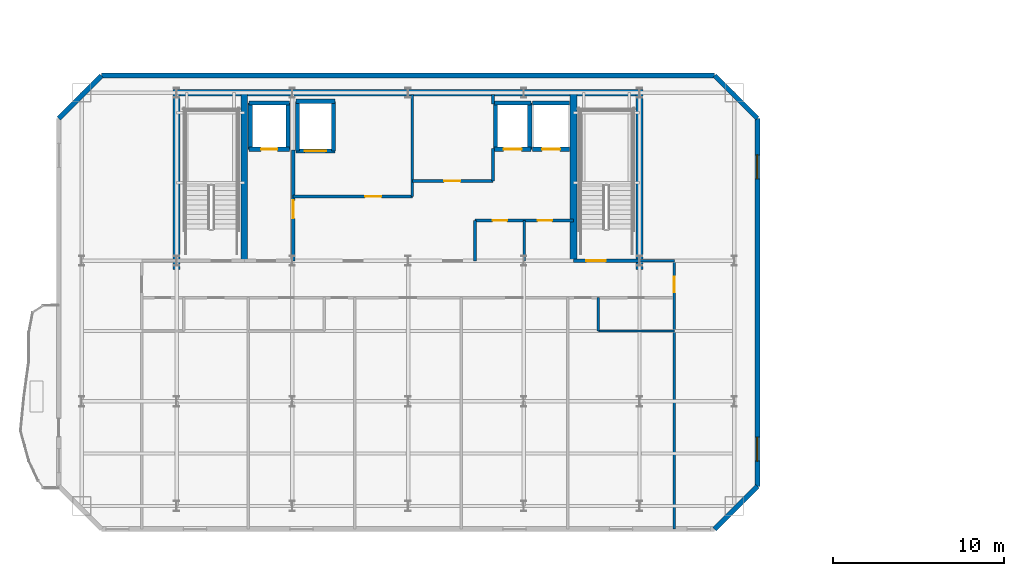
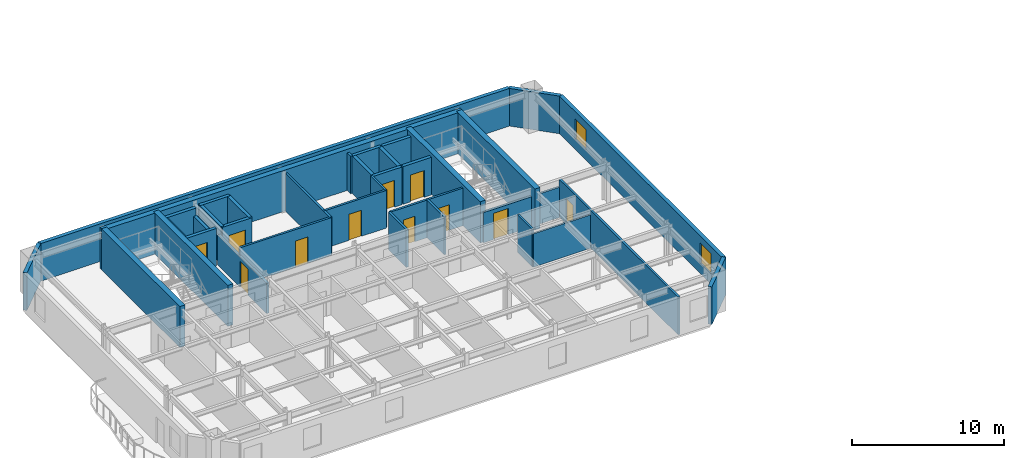
# One storey, part 6 of 14: 38 walls, 11 doors, 2 windows, 13 openings.
"""IFC4 building model written with IfcOpenShell, lengths in metres."""

from ifc_helpers import new_model, si_unit, direction, frame, frame_2d, origin, place, context, subcontext, project, spatial, rectangle, extrude, material, layer, layer_set, type_object, element, fill, save


model = new_model("IFC4")

# Units and contexts
model_context = context("Model", 3, precision=1e-05, world=origin(), true_north=direction((0.0, 1.0)))
body_context = subcontext(model_context, "Body", "Model", "MODEL_VIEW")
ifc_project = project(units=[si_unit("LENGTHUNIT", "METRE"), si_unit("AREAUNIT", "SQUARE_METRE"), si_unit("VOLUMEUNIT", "CUBIC_METRE"), si_unit("PLANEANGLEUNIT", "RADIAN"), si_unit("MASSUNIT", "GRAM", prefix="KILO")], contexts=[model_context])

# Site, building, storey
site_placement = place(None, origin())
site = spatial("IfcSite", under=ifc_project, at=site_placement, CompositionType="ELEMENT")
building_placement = place(site_placement, origin())
building = spatial("IfcBuilding", under=site, at=building_placement, Name="Haevon Station Towers", CompositionType="ELEMENT")
storey_placement = place(building_placement, frame((0.0, 0.0, 205.5)))
storey = spatial("IfcBuildingStorey", under=building, at=storey_placement, Name="L56", CompositionType="ELEMENT", Elevation=205.5)

# Wall, opening, door
ifc_material_1 = material(Name="Gypsum board on steel stud", Category="steel")
ifc_layer_1 = layer(ifc_material_1, 0.199951171875)
ifc_layer_set_1 = layer_set([ifc_layer_1], Name="Gypsum board on steel stud")
wall_type_1 = type_object("IfcWallType", Name="WL-COR200", PredefinedType="PARTITIONING", material=ifc_layer_set_1)
wall_1_placement = place(storey_placement, frame((47.14990234375, 38.199951171875, 0.0), z_axis=(0.0, 0.0, 1.0), x_axis=(1.0, 0.0, 0.0)))
wall_1 = element("IfcWall", 1, at=wall_1_placement, inside=storey, type_object=wall_type_1, Name="WL-ST-ST2-L56", PredefinedType="PARTITIONING", context=body_context, shape_type="SweptSolid", body=[
    extrude(rectangle(XDim=3.85009765625, YDim=0.199951171875, at=frame_2d((1.925048828125, 0.0))), origin(), (0.0, 0.0, 1.0), 2.429931640625),
])
opening_1_placement = place(wall_1_placement, frame((0.75, 0.0, 0.0)))
opening_1 = element("IfcOpeningElement", 2, at=opening_1_placement, cuts=wall_1, Name="Opening DR-ST-ST2-L56", PredefinedType="OPENING", context=body_context, shape_type="SweptSolid", body=[
    extrude(rectangle(XDim=1.1201171875, YDim=2.10009765625, at=frame_2d((0.56005859375, 1.050048828125))), frame((0.0, 0.10986328125, 0.0), z_axis=(0.0, -1.0, 0.0), x_axis=(1.0, 0.0, 0.0)), (0.0, 0.0, 1.0), 0.219970703125),
])
ifc_material_2 = material(Name="Engineered oak timber", Category="wood")
door_type_1 = type_object("IfcDoorType", Name="DR-ST-1120", OperationType="NOTDEFINED", PredefinedType="DOOR", material=ifc_material_2)
door_1_placement = place(opening_1_placement, origin())
door_1 = element("IfcDoor", 3, at=door_1_placement, inside=storey, type_object=door_type_1, Name="L56 Escape Stair ST2 Fire Door", OperationType="SINGLE_SWING_LEFT", OverallHeight=2.10009765625, OverallWidth=1.1201171875, PredefinedType="DOOR", context=body_context, shape_type="SweptSolid", body=[
    extrude(rectangle(XDim=1.1201171875, YDim=2.10009765625, at=frame_2d((0.56005859375, 1.050048828125))), frame((0.0, 0.02490234375, 0.0), z_axis=(0.0, -1.0, 0.0), x_axis=(1.0, 0.0, 0.0)), (0.0, 0.0, 1.0), 0.050048828125),
])
fill(opening_1, door_1)

wall_2_placement = place(storey_placement, frame((30.800048828125, 38.199951171875, 0.0), z_axis=(0.0, 0.0, 1.0), x_axis=(0.0, 1.0, 0.0)))
wall_2 = element("IfcWall", 4, at=wall_2_placement, inside=storey, type_object=wall_type_1, Name="WL-T1FFL-L56-E", PredefinedType="PARTITIONING", context=body_context, shape_type="SweptSolid", body=[
    extrude(rectangle(XDim=6.449951171875, YDim=0.199951171875, at=frame_2d((3.22509765625, 0.0))), origin(), (0.0, 0.0, 1.0), 2.429931640625),
])
opening_2_placement = place(wall_2_placement, frame((2.469970703125, 0.0, 0.0)))
opening_2 = element("IfcOpeningElement", 5, at=opening_2_placement, cuts=wall_2, Name="Opening DR-T1FFL-L56-E", PredefinedType="OPENING", context=body_context, shape_type="SweptSolid", body=[
    extrude(rectangle(XDim=1.050048828125, YDim=2.10009765625, at=frame_2d((0.52490234375, 1.050048828125))), frame((0.0, 0.10986328125, 0.0), z_axis=(0.0, -1.0, 0.0), x_axis=(1.0, 0.0, 0.0)), (0.0, 0.0, 1.0), 0.219970703125),
])
door_type_2 = type_object("IfcDoorType", Name="DR-FD60-1050", OperationType="NOTDEFINED", PredefinedType="DOOR", material=ifc_material_2)
door_2_placement = place(opening_2_placement, origin())
door_2 = element("IfcDoor", 6, at=door_2_placement, inside=storey, type_object=door_type_2, Name="L56 Tower 1 Firefighting Lift Lobby Door E", OperationType="SINGLE_SWING_RIGHT", OverallHeight=2.10009765625, OverallWidth=1.050048828125, PredefinedType="DOOR", context=body_context, shape_type="SweptSolid", body=[
    extrude(rectangle(XDim=1.050048828125, YDim=2.10009765625, at=frame_2d((0.52490234375, 1.050048828125))), frame((0.0, 0.02490234375, 0.0), z_axis=(0.0, -1.0, 0.0), x_axis=(1.0, 0.0, 0.0)), (0.0, 0.0, 1.0), 0.050048828125),
])
fill(opening_2, door_2)

# Walls
ifc_material_3 = material(Name="Concrete C60/75", Category="concrete")
ifc_layer_2 = layer(ifc_material_3, 0.39990234375)
ifc_layer_set_2 = layer_set([ifc_layer_2], Name="Concrete C60/75")
wall_type_2 = type_object("IfcWallType", Name="WL-CR400", PredefinedType="SHEAR", material=ifc_layer_set_2)
wall_3_placement = place(storey_placement, frame((23.800048828125, 48.0, 0.0), z_axis=(0.0, 0.0, 1.0), x_axis=(1.0, 0.0, 0.0)))
element("IfcWall", 7, at=wall_3_placement, inside=storey, type_object=wall_type_2, Name="WL-T1CR-L56-N", PredefinedType="SHEAR", context=body_context, shape_type="SweptSolid", body=[
    extrude(rectangle(XDim=27.39990234375, YDim=0.39990234375, at=frame_2d((13.699951171875, 0.0))), origin(), (0.0, 0.0, 1.0), 3.300048828125),
])
for number, where, z_axis, x_axis, name in (
    (8, (24.0, 37.679931640625, 0.0), (0.0, 0.0, 1.0), (0.0, 1.0, 0.0), "WL-T1CR-L56-W"),
    (9, (51.0, 37.679931640625, 0.0), (0.0, 0.0, 1.0), (0.0, 1.0, 0.0), "WL-T1CR-L56-E"),
):
    element("IfcWall", number, at=place(storey_placement, frame(where, z_axis=z_axis, x_axis=x_axis)), inside=storey, type_object=wall_type_2, Name=name, PredefinedType="SHEAR", context=body_context, shape_type="SweptSolid", body=[
        extrude(rectangle(XDim=10.320068359375, YDim=0.39990234375, at=frame_2d((5.16015625, 0.0))), origin(), (0.0, 0.0, 1.0), 3.300048828125),
    ])
for number, where, z_axis, x_axis, name in (
    (10, (27.949951171875, 38.199951171875, 0.0), (0.0, 0.0, 1.0), (0.0, 1.0, 0.0), "WL-T1CR-L56-M1"),
    (11, (47.14990234375, 38.199951171875, 0.0), (0.0, 0.0, 1.0), (0.0, 1.0, 0.0), "WL-T1CR-L56-M2"),
):
    element("IfcWall", number, at=place(storey_placement, frame(where, z_axis=z_axis, x_axis=x_axis)), inside=storey, type_object=wall_type_2, Name=name, PredefinedType="SHEAR", context=body_context, shape_type="SweptSolid", body=[
        extrude(rectangle(XDim=9.800048828125, YDim=0.39990234375, at=frame_2d((4.89990234375, 0.0))), origin(), (0.0, 0.0, 1.0), 3.300048828125),
    ])
ifc_material_4 = material(Name="Precast concrete C45/55", Category="concrete")
ifc_layer_3 = layer(ifc_material_4, 0.280029296875)
ifc_layer_set_3 = layer_set([ifc_layer_3], Name="Precast concrete C45/55")
wall_type_3 = type_object("IfcWallType", Name="WL-EXT-PIER280", PredefinedType="SOLIDWALL", material=ifc_layer_set_3)
wall_4_placement = place(storey_placement, frame((17.125, 46.5, 0.0), z_axis=(0.0, 0.0, 1.0), x_axis=(0.707106781187, 0.707106781187, 0.0)))
element("IfcWall", 12, at=wall_4_placement, inside=storey, type_object=wall_type_3, Name="WL-T1-L56-NWC", PredefinedType="SOLIDWALL", context=body_context, shape_type="SweptSolid", body=[
    extrude(rectangle(XDim=3.53564453125, YDim=0.280029296875, at=frame_2d((1.767822265625, 0.0))), origin(), (0.0, 0.0, 1.0), 3.030029296875),
])
wall_5_placement = place(storey_placement, frame((19.625, 49.0, 0.0), z_axis=(0.0, 0.0, 1.0), x_axis=(1.0, 0.0, 0.0)))
element("IfcWall", 13, at=wall_5_placement, inside=storey, type_object=wall_type_3, Name="WL-T1-L56-N", PredefinedType="SOLIDWALL", context=body_context, shape_type="SweptSolid", body=[
    extrude(rectangle(XDim=35.75, YDim=0.280029296875, at=frame_2d((17.875, 0.0))), origin(), (0.0, 0.0, 1.0), 3.030029296875),
])
wall_6_placement = place(storey_placement, frame((55.375, 49.0, 0.0), z_axis=(0.0, 0.0, 1.0), x_axis=(0.707106781187, -0.707106781187, 0.0)))
element("IfcWall", 14, at=wall_6_placement, inside=storey, type_object=wall_type_3, Name="WL-T1-L56-NEC", PredefinedType="SOLIDWALL", context=body_context, shape_type="SweptSolid", body=[
    extrude(rectangle(XDim=3.53564453125, YDim=0.280029296875, at=frame_2d((1.767822265625, 0.0))), origin(), (0.0, 0.0, 1.0), 3.030029296875),
])

# Wall, openings, windows
wall_7_placement = place(storey_placement, frame((57.875, 46.5, 0.0), z_axis=(0.0, 0.0, 1.0), x_axis=(0.0, -1.0, 0.0)))
wall_7 = element("IfcWall", 15, at=wall_7_placement, inside=storey, type_object=wall_type_3, Name="WL-T1-L56-E", PredefinedType="SOLIDWALL", context=body_context, shape_type="SweptSolid", body=[
    extrude(rectangle(XDim=21.449951171875, YDim=0.280029296875, at=frame_2d((10.72509765625, 0.0))), origin(), (0.0, 0.0, 1.0), 3.030029296875),
])
opening_3_placement = place(wall_7_placement, frame((2.117919921875, 0.0, 0.800048828125)))
opening_3 = element("IfcOpeningElement", 16, at=opening_3_placement, cuts=wall_7, Name="Opening WN-END140", PredefinedType="OPENING", context=body_context, shape_type="SweptSolid", body=[
    extrude(rectangle(XDim=1.39990234375, YDim=1.64990234375, at=frame_2d((0.699951171875, 0.824951171875))), frame((0.0, 0.14990234375, 0.0), z_axis=(0.0, -1.0, 0.0), x_axis=(1.0, 0.0, 0.0)), (0.0, 0.0, 1.0), 0.300048828125),
])
opening_4_placement = place(wall_7_placement, frame((18.591064453125, 0.0, 0.800048828125)))
opening_4 = element("IfcOpeningElement", 17, at=opening_4_placement, cuts=wall_7, Name="Opening WN-END140", PredefinedType="OPENING", context=body_context, shape_type="SweptSolid", body=[
    extrude(rectangle(XDim=1.39990234375, YDim=1.64990234375, at=frame_2d((0.699951171875, 0.824951171875))), frame((0.0, 0.14990234375, 0.0), z_axis=(0.0, -1.0, 0.0), x_axis=(1.0, 0.0, 0.0)), (0.0, 0.0, 1.0), 0.300048828125),
])
ifc_material_5 = material(Name="Low-E triple glazing in thermally broken aluminium", Category="aluminium")
window_type = type_object("IfcWindowType", Name="WN-END140", PartitioningType="SINGLE_PANEL", PredefinedType="WINDOW", material=ifc_material_5)
window_1_placement = place(opening_3_placement, origin())
window_1 = element("IfcWindow", 18, at=window_1_placement, inside=storey, type_object=window_type, Name="WN-T1-L56-E01", OverallHeight=1.64990234375, OverallWidth=1.39990234375, PartitioningType="SINGLE_PANEL", PredefinedType="WINDOW", context=body_context, shape_type="SweptSolid", body=[
    extrude(rectangle(XDim=1.39990234375, YDim=1.64990234375, at=frame_2d((0.699951171875, 0.824951171875))), frame((0.0, 0.030029296875, 0.0), z_axis=(0.0, -1.0, 0.0), x_axis=(1.0, 0.0, 0.0)), (0.0, 0.0, 1.0), 0.06005859375),
])
fill(opening_3, window_1)
window_2_placement = place(opening_4_placement, origin())
window_2 = element("IfcWindow", 19, at=window_2_placement, inside=storey, type_object=window_type, Name="WN-T1-L56-E02", OverallHeight=1.64990234375, OverallWidth=1.39990234375, PartitioningType="SINGLE_PANEL", PredefinedType="WINDOW", context=body_context, shape_type="SweptSolid", body=[
    extrude(rectangle(XDim=1.39990234375, YDim=1.64990234375, at=frame_2d((0.699951171875, 0.824951171875))), frame((0.0, 0.030029296875, 0.0), z_axis=(0.0, -1.0, 0.0), x_axis=(1.0, 0.0, 0.0)), (0.0, 0.0, 1.0), 0.06005859375),
])
fill(opening_4, window_2)

# Walls
wall_8_placement = place(storey_placement, frame((57.875, 25.050048828125, 0.0), z_axis=(0.0, 0.0, 1.0), x_axis=(-0.707106781187, -0.707106781187, 0.0)))
element("IfcWall", 20, at=wall_8_placement, inside=storey, type_object=wall_type_3, Name="WL-T1-L56-SEC", PredefinedType="SOLIDWALL", context=body_context, shape_type="SweptSolid", body=[
    extrude(rectangle(XDim=3.53564453125, YDim=0.280029296875, at=frame_2d((1.767822265625, 0.0))), origin(), (0.0, 0.0, 1.0), 3.030029296875),
])
ifc_layer_4 = layer(ifc_material_1, 0.125)
ifc_layer_set_4 = layer_set([ifc_layer_4], Name="Gypsum board on steel stud")
wall_type_4 = type_object("IfcWallType", Name="WL-PRT125", PredefinedType="PARTITIONING", material=ifc_layer_set_4)
wall_9_placement = place(storey_placement, frame((48.594970703125, 34.10009765625, 0.0), z_axis=(0.0, 0.0, 1.0), x_axis=(1.0, 0.0, 0.0)))
element("IfcWall", 21, at=wall_9_placement, inside=storey, type_object=wall_type_4, Name="WL-T1PT-L56-13", PredefinedType="PARTITIONING", context=body_context, shape_type="SweptSolid", body=[
    extrude(rectangle(XDim=4.429931640625, YDim=0.125, at=frame_2d((2.21484375, 0.0))), origin(), (0.0, 0.0, 1.0), 2.679931640625),
])
ifc_layer_5 = layer(ifc_material_1, 0.139892578125)
ifc_layer_set_5 = layer_set([ifc_layer_5], Name="Gypsum board on steel stud")
wall_type_5 = type_object("IfcWallType", Name="WL-PRT140", PredefinedType="PARTITIONING", material=ifc_layer_set_5)
wall_10_placement = place(storey_placement, frame((48.594970703125, 34.10009765625, 0.0), z_axis=(0.0, 0.0, 1.0), x_axis=(0.0, 1.0, 0.0)))
element("IfcWall", 22, at=wall_10_placement, inside=storey, type_object=wall_type_5, Name="WL-T1PT-L56-14", PredefinedType="PARTITIONING", context=body_context, shape_type="SweptSolid", body=[
    extrude(rectangle(XDim=1.949951171875, YDim=0.139892578125, at=frame_2d((0.97509765625, 0.0))), origin(), (0.0, 0.0, 1.0), 3.030029296875),
])

# Wall, opening, door
ifc_layer_6 = layer(ifc_material_1, 0.159912109375)
ifc_layer_set_6 = layer_set([ifc_layer_6], Name="Gypsum board on steel stud")
wall_type_6 = type_object("IfcWallType", Name="WL-PRT160", PredefinedType="PARTITIONING", material=ifc_layer_set_6)
wall_11_placement = place(storey_placement, frame((30.800048828125, 41.949951171875, 0.0), z_axis=(0.0, 0.0, 1.0), x_axis=(1.0, 0.0, 0.0)))
wall_11 = element("IfcWall", 23, at=wall_11_placement, inside=storey, type_object=wall_type_6, Name="WL-T1CW-L56-01", PredefinedType="PARTITIONING", context=body_context, shape_type="SweptSolid", body=[
    extrude(rectangle(XDim=6.949951171875, YDim=0.159912109375, at=frame_2d((3.47509765625, 0.0))), origin(), (0.0, 0.0, 1.0), 3.030029296875),
])
opening_5_placement = place(wall_11_placement, frame((4.199951171875, 0.0, 0.0)))
opening_5 = element("IfcOpeningElement", 24, at=opening_5_placement, cuts=wall_11, Name="Opening DR-WL-T1CW-L56-01-1", PredefinedType="OPENING", context=body_context, shape_type="SweptSolid", body=[
    extrude(rectangle(XDim=0.949951171875, YDim=2.10009765625, at=frame_2d((0.47509765625, 1.050048828125))), frame((0.0, 0.08984375, 0.0), z_axis=(0.0, -1.0, 0.0), x_axis=(1.0, 0.0, 0.0)), (0.0, 0.0, 1.0), 0.179931640625),
])
door_type_3 = type_object("IfcDoorType", Name="DR-FD60-950", OperationType="NOTDEFINED", PredefinedType="DOOR", material=ifc_material_2)
door_3_placement = place(opening_5_placement, origin())
door_3 = element("IfcDoor", 25, at=door_3_placement, inside=storey, type_object=door_type_3, Name="L56 Tower 1 Core Room Door 1-1", OperationType="SINGLE_SWING_LEFT", OverallHeight=2.10009765625, OverallWidth=0.949951171875, PredefinedType="DOOR", context=body_context, shape_type="SweptSolid", body=[
    extrude(rectangle(XDim=0.949951171875, YDim=2.10009765625, at=frame_2d((0.47509765625, 1.050048828125))), frame((0.0, 0.02490234375, 0.0), z_axis=(0.0, -1.0, 0.0), x_axis=(1.0, 0.0, 0.0)), (0.0, 0.0, 1.0), 0.050048828125),
])
fill(opening_5, door_3)

# Wall
wall_12_placement = place(storey_placement, frame((37.75, 41.949951171875, 0.0), z_axis=(0.0, 0.0, 1.0), x_axis=(0.0, 1.0, 0.0)))
element("IfcWall", 26, at=wall_12_placement, inside=storey, type_object=wall_type_6, Name="WL-T1CW-L56-02", PredefinedType="PARTITIONING", context=body_context, shape_type="SweptSolid", body=[
    extrude(rectangle(XDim=5.949951171875, YDim=0.159912109375, at=frame_2d((2.97509765625, 0.0))), origin(), (0.0, 0.0, 1.0), 3.030029296875),
])

# Wall, opening, door
wall_13_placement = place(storey_placement, frame((37.75, 42.85009765625, 0.0), z_axis=(0.0, 0.0, 1.0), x_axis=(1.0, 0.0, 0.0)))
wall_13 = element("IfcWall", 27, at=wall_13_placement, inside=storey, type_object=wall_type_6, Name="WL-T1CW-L56-03", PredefinedType="PARTITIONING", context=body_context, shape_type="SweptSolid", body=[
    extrude(rectangle(XDim=4.699951171875, YDim=0.159912109375, at=frame_2d((2.35009765625, 0.0))), origin(), (0.0, 0.0, 1.0), 3.030029296875),
])
opening_6_placement = place(wall_13_placement, frame((1.85009765625, 0.0, 0.0)))
opening_6 = element("IfcOpeningElement", 28, at=opening_6_placement, cuts=wall_13, Name="Opening DR-WL-T1CW-L56-03-1", PredefinedType="OPENING", context=body_context, shape_type="SweptSolid", body=[
    extrude(rectangle(XDim=0.949951171875, YDim=2.10009765625, at=frame_2d((0.47509765625, 1.050048828125))), frame((0.0, 0.08984375, 0.0), z_axis=(0.0, -1.0, 0.0), x_axis=(1.0, 0.0, 0.0)), (0.0, 0.0, 1.0), 0.179931640625),
])
door_4_placement = place(opening_6_placement, origin())
door_4 = element("IfcDoor", 29, at=door_4_placement, inside=storey, type_object=door_type_3, Name="L56 Tower 1 Core Room Door 3-1", OperationType="SINGLE_SWING_RIGHT", OverallHeight=2.10009765625, OverallWidth=0.949951171875, PredefinedType="DOOR", context=body_context, shape_type="SweptSolid", body=[
    extrude(rectangle(XDim=0.949951171875, YDim=2.10009765625, at=frame_2d((0.47509765625, 1.050048828125))), frame((0.0, 0.02490234375, 0.0), z_axis=(0.0, -1.0, 0.0), x_axis=(1.0, 0.0, 0.0)), (0.0, 0.0, 1.0), 0.050048828125),
])
fill(opening_6, door_4)

# Walls
wall_14_placement = place(storey_placement, frame((42.449951171875, 42.85009765625, 0.0), z_axis=(0.0, 0.0, 1.0), x_axis=(0.0, 1.0, 0.0)))
element("IfcWall", 30, at=wall_14_placement, inside=storey, type_object=wall_type_6, Name="WL-T1CW-L56-04", PredefinedType="PARTITIONING", context=body_context, shape_type="SweptSolid", body=[
    extrude(rectangle(XDim=1.89990234375, YDim=0.159912109375, at=frame_2d((0.949951171875, 0.0))), origin(), (0.0, 0.0, 1.0), 3.030029296875),
])
wall_15_placement = place(storey_placement, frame((42.449951171875, 47.35009765625, 0.0), z_axis=(0.0, 0.0, 1.0), x_axis=(0.0, 1.0, 0.0)))
element("IfcWall", 31, at=wall_15_placement, inside=storey, type_object=wall_type_6, Name="WL-T1CW-L56-05", PredefinedType="PARTITIONING", context=body_context, shape_type="SweptSolid", body=[
    extrude(rectangle(XDim=0.5498046875, YDim=0.159912109375, at=frame_2d((0.27490234375, 0.0))), origin(), (0.0, 0.0, 1.0), 3.030029296875),
])
for number, where, z_axis, x_axis, name in (
    (32, (41.39990234375, 38.199951171875, 0.0), (0.0, 0.0, 1.0), (0.0, 1.0, 0.0), "WL-T1CW-L56-06"),
    (33, (44.280029296875, 38.199951171875, 0.0), (0.0, 0.0, 1.0), (0.0, 1.0, 0.0), "WL-T1CW-L56-07"),
):
    element("IfcWall", number, at=place(storey_placement, frame(where, z_axis=z_axis, x_axis=x_axis)), inside=storey, type_object=wall_type_6, Name=name, PredefinedType="PARTITIONING", context=body_context, shape_type="SweptSolid", body=[
        extrude(rectangle(XDim=2.35009765625, YDim=0.159912109375, at=frame_2d((1.175048828125, 0.0))), origin(), (0.0, 0.0, 1.0), 3.030029296875),
    ])

# Wall, openings, doors
wall_16_placement = place(storey_placement, frame((41.39990234375, 40.550048828125, 0.0), z_axis=(0.0, 0.0, 1.0), x_axis=(1.0, 0.0, 0.0)))
wall_16 = element("IfcWall", 34, at=wall_16_placement, inside=storey, type_object=wall_type_6, Name="WL-T1CW-L56-08", PredefinedType="PARTITIONING", context=body_context, shape_type="SweptSolid", body=[
    extrude(rectangle(XDim=5.75, YDim=0.159912109375, at=frame_2d((2.875, 0.0))), origin(), (0.0, 0.0, 1.0), 3.030029296875),
])
opening_7_placement = place(wall_16_placement, frame((1.034912109375, 0.0, 0.0)))
opening_7 = element("IfcOpeningElement", 35, at=opening_7_placement, cuts=wall_16, Name="Opening DR-WL-T1CW-L56-08-1", PredefinedType="OPENING", context=body_context, shape_type="SweptSolid", body=[
    extrude(rectangle(XDim=0.85009765625, YDim=2.050048828125, at=frame_2d((0.425048828125, 1.02490234375))), frame((0.0, 0.08984375, 0.0), z_axis=(0.0, -1.0, 0.0), x_axis=(1.0, 0.0, 0.0)), (0.0, 0.0, 1.0), 0.179931640625),
])
opening_8_placement = place(wall_16_placement, frame((3.655029296875, 0.0, 0.0)))
opening_8 = element("IfcOpeningElement", 36, at=opening_8_placement, cuts=wall_16, Name="Opening DR-WL-T1CW-L56-08-2", PredefinedType="OPENING", context=body_context, shape_type="SweptSolid", body=[
    extrude(rectangle(XDim=0.85009765625, YDim=2.050048828125, at=frame_2d((0.425048828125, 1.02490234375))), frame((0.0, 0.08984375, 0.0), z_axis=(0.0, -1.0, 0.0), x_axis=(1.0, 0.0, 0.0)), (0.0, 0.0, 1.0), 0.179931640625),
])
door_type_4 = type_object("IfcDoorType", Name="DR-FD30-850", OperationType="NOTDEFINED", PredefinedType="DOOR", material=ifc_material_2)
door_5_placement = place(opening_7_placement, origin())
door_5 = element("IfcDoor", 37, at=door_5_placement, inside=storey, type_object=door_type_4, Name="L56 Tower 1 Core Room Door 8-1", OperationType="SINGLE_SWING_LEFT", OverallHeight=2.050048828125, OverallWidth=0.85009765625, PredefinedType="DOOR", context=body_context, shape_type="SweptSolid", body=[
    extrude(rectangle(XDim=0.85009765625, YDim=2.050048828125, at=frame_2d((0.425048828125, 1.02490234375))), frame((0.0, 0.02490234375, 0.0), z_axis=(0.0, -1.0, 0.0), x_axis=(1.0, 0.0, 0.0)), (0.0, 0.0, 1.0), 0.050048828125),
])
fill(opening_7, door_5)
door_6_placement = place(opening_8_placement, origin())
door_6 = element("IfcDoor", 38, at=door_6_placement, inside=storey, type_object=door_type_4, Name="L56 Tower 1 Core Room Door 8-2", OperationType="SINGLE_SWING_RIGHT", OverallHeight=2.050048828125, OverallWidth=0.85009765625, PredefinedType="DOOR", context=body_context, shape_type="SweptSolid", body=[
    extrude(rectangle(XDim=0.85009765625, YDim=2.050048828125, at=frame_2d((0.425048828125, 1.02490234375))), frame((0.0, 0.02490234375, 0.0), z_axis=(0.0, -1.0, 0.0), x_axis=(1.0, 0.0, 0.0)), (0.0, 0.0, 1.0), 0.050048828125),
])
fill(opening_8, door_6)

# Wall
wall_17_placement = place(storey_placement, frame((51.0, 38.199951171875, 0.0), z_axis=(0.0, 0.0, 1.0), x_axis=(1.0, 0.0, 0.0)))
element("IfcWall", 39, at=wall_17_placement, inside=storey, type_object=wall_type_6, Name="WL-T1PT-L56-02", PredefinedType="PARTITIONING", context=body_context, shape_type="SweptSolid", body=[
    extrude(rectangle(XDim=2.02490234375, YDim=0.159912109375, at=frame_2d((1.012451171875, 0.0))), origin(), (0.0, 0.0, 1.0), 2.429931640625),
])

# Wall, opening, door
wall_18_placement = place(storey_placement, frame((53.02490234375, 22.550048828125, 0.0), z_axis=(0.0, 0.0, 1.0), x_axis=(0.0, 1.0, 0.0)))
wall_18 = element("IfcWall", 40, at=wall_18_placement, inside=storey, type_object=wall_type_6, Name="WL-T1PT-L56-04", PredefinedType="PARTITIONING", context=body_context, shape_type="SweptSolid", body=[
    extrude(rectangle(XDim=15.64990234375, YDim=0.159912109375, at=frame_2d((7.824951171875, 0.0))), origin(), (0.0, 0.0, 1.0), 3.030029296875),
])
opening_9_placement = place(wall_18_placement, frame((13.820068359375, 0.0, 0.0)))
opening_9 = element("IfcOpeningElement", 41, at=opening_9_placement, cuts=wall_18, Name="Opening DR-WL-T1PT-L56-04-01", PredefinedType="OPENING", context=body_context, shape_type="SweptSolid", body=[
    extrude(rectangle(XDim=0.89990234375, YDim=2.050048828125, at=frame_2d((0.449951171875, 1.02490234375))), frame((0.0, 0.08984375, 0.0), z_axis=(0.0, -1.0, 0.0), x_axis=(1.0, 0.0, 0.0)), (0.0, 0.0, 1.0), 0.179931640625),
])
door_type_5 = type_object("IfcDoorType", Name="DR-INT-900", OperationType="NOTDEFINED", PredefinedType="DOOR", material=ifc_material_2)
door_7_placement = place(opening_9_placement, origin())
door_7 = element("IfcDoor", 42, at=door_7_placement, inside=storey, type_object=door_type_5, Name="L56 Tower 1 Room Door 4-1", OperationType="SINGLE_SWING_RIGHT", OverallHeight=2.050048828125, OverallWidth=0.89990234375, PredefinedType="DOOR", context=body_context, shape_type="SweptSolid", body=[
    extrude(rectangle(XDim=0.89990234375, YDim=2.050048828125, at=frame_2d((0.449951171875, 1.02490234375))), frame((0.0, 0.02490234375, 0.0), z_axis=(0.0, -1.0, 0.0), x_axis=(1.0, 0.0, 0.0)), (0.0, 0.0, 1.0), 0.050048828125),
])
fill(opening_9, door_7)

ifc_material_6 = material(Name="Concrete C40/50", Category="concrete")
ifc_layer_7 = layer(ifc_material_6, 0.239990234375)
ifc_layer_set_7 = layer_set([ifc_layer_7], Name="Concrete C40/50")
wall_type_7 = type_object("IfcWallType", Name="WL-SHF240", PredefinedType="PARTITIONING", material=ifc_layer_set_7)
wall_19_placement = place(storey_placement, frame((28.219970703125, 44.699951171875, 0.0), z_axis=(0.0, 0.0, 1.0), x_axis=(1.0, 0.0, 0.0)))
wall_19 = element("IfcWall", 43, at=wall_19_placement, inside=storey, type_object=wall_type_7, Name="WL-SHF-FL1-L56", PredefinedType="PARTITIONING", context=body_context, shape_type="SweptSolid", body=[
    extrude(rectangle(XDim=2.360107421875, YDim=0.239990234375, at=frame_2d((1.18017578125, 0.0))), origin(), (0.0, 0.0, 1.0), 3.030029296875),
])
opening_10_placement = place(wall_19_placement, frame((0.705078125, 0.0, 0.0)))
opening_10 = element("IfcOpeningElement", 44, at=opening_10_placement, cuts=wall_19, Name="Opening LD-FL1-L56", PredefinedType="OPENING", context=body_context, shape_type="SweptSolid", body=[
    extrude(rectangle(XDim=0.949951171875, YDim=2.14990234375, at=frame_2d((0.47509765625, 1.074951171875))), frame((0.0, 0.1298828125, 0.0), z_axis=(0.0, -1.0, 0.0), x_axis=(1.0, 0.0, 0.0)), (0.0, 0.0, 1.0), 0.260009765625),
])
ifc_material_7 = material(Name="Stainless steel and rated core", Category="steel")
door_type_6 = type_object("IfcDoorType", Name="LD-FL950", OperationType="SLIDING_TO_LEFT", PredefinedType="DOOR", material=ifc_material_7)
door_8_placement = place(opening_10_placement, origin())
door_8 = element("IfcDoor", 45, at=door_8_placement, inside=storey, type_object=door_type_6, Name="L56 Lift FL1 Sliding Landing Door", OperationType="SLIDING_TO_LEFT", OverallHeight=2.14990234375, OverallWidth=0.949951171875, PredefinedType="DOOR", context=body_context, shape_type="SweptSolid", body=[
    extrude(rectangle(XDim=0.949951171875, YDim=2.14990234375, at=frame_2d((0.47509765625, 1.074951171875))), frame((0.0, 0.02490234375, 0.0), z_axis=(0.0, -1.0, 0.0), x_axis=(1.0, 0.0, 0.0)), (0.0, 0.0, 1.0), 0.050048828125),
])
fill(opening_10, door_8)

# Walls
wall_20_placement = place(storey_placement, frame((28.219970703125, 47.39990234375, 0.0), z_axis=(0.0, 0.0, 1.0), x_axis=(1.0, 0.0, 0.0)))
element("IfcWall", 46, at=wall_20_placement, inside=storey, type_object=wall_type_7, Name="WL-SHF-FL1-L56-N", PredefinedType="PARTITIONING", context=body_context, shape_type="SweptSolid", body=[
    extrude(rectangle(XDim=2.360107421875, YDim=0.239990234375, at=frame_2d((1.18017578125, 0.0))), origin(), (0.0, 0.0, 1.0), 3.030029296875),
])
wall_21_placement = place(storey_placement, frame((28.300048828125, 44.699951171875, 0.0), z_axis=(0.0, 0.0, 1.0), x_axis=(0.0, 1.0, 0.0)))
element("IfcWall", 47, at=wall_21_placement, inside=storey, type_object=wall_type_7, Name="WL-SHF-FL1-L56-W", PredefinedType="PARTITIONING", context=body_context, shape_type="SweptSolid", body=[
    extrude(rectangle(XDim=2.699951171875, YDim=0.239990234375, at=frame_2d((1.35009765625, 0.0))), origin(), (0.0, 0.0, 1.0), 3.030029296875),
])
wall_22_placement = place(storey_placement, frame((30.5, 44.699951171875, 0.0), z_axis=(0.0, 0.0, 1.0), x_axis=(0.0, 1.0, 0.0)))
element("IfcWall", 48, at=wall_22_placement, inside=storey, type_object=wall_type_7, Name="WL-SHF-FL1-L56-E", PredefinedType="PARTITIONING", context=body_context, shape_type="SweptSolid", body=[
    extrude(rectangle(XDim=2.699951171875, YDim=0.239990234375, at=frame_2d((1.35009765625, 0.0))), origin(), (0.0, 0.0, 1.0), 2.429931640625),
])

# Wall, opening, door
wall_23_placement = place(storey_placement, frame((30.969970703125, 44.60009765625, 0.0), z_axis=(0.0, 0.0, 1.0), x_axis=(1.0, 0.0, 0.0)))
wall_23 = element("IfcWall", 49, at=wall_23_placement, inside=storey, type_object=wall_type_7, Name="WL-SHF-SL1-L56", PredefinedType="PARTITIONING", context=body_context, shape_type="SweptSolid", body=[
    extrude(rectangle(XDim=2.260009765625, YDim=0.239990234375, at=frame_2d((1.1298828125, 0.0))), origin(), (0.0, 0.0, 1.0), 3.030029296875),
])
opening_11_placement = place(wall_23_placement, frame((0.5048828125, 0.0, 0.0)))
opening_11 = element("IfcOpeningElement", 50, at=opening_11_placement, cuts=wall_23, Name="Opening LD-SL1-L56", PredefinedType="OPENING", context=body_context, shape_type="SweptSolid", body=[
    extrude(rectangle(XDim=1.25, YDim=2.199951171875, at=frame_2d((0.625, 1.10009765625))), frame((0.0, 0.1298828125, 0.0), z_axis=(0.0, -1.0, 0.0), x_axis=(1.0, 0.0, 0.0)), (0.0, 0.0, 1.0), 0.260009765625),
])
door_type_7 = type_object("IfcDoorType", Name="LD-SL1250", OperationType="SLIDING_TO_LEFT", PredefinedType="DOOR", material=ifc_material_7)
door_9_placement = place(opening_11_placement, origin())
door_9 = element("IfcDoor", 51, at=door_9_placement, inside=storey, type_object=door_type_7, Name="L56 Lift SL1 Sliding Landing Door", OperationType="SLIDING_TO_LEFT", OverallHeight=2.199951171875, OverallWidth=1.25, PredefinedType="DOOR", context=body_context, shape_type="SweptSolid", body=[
    extrude(rectangle(XDim=1.25, YDim=2.199951171875, at=frame_2d((0.625, 1.10009765625))), frame((0.0, 0.02490234375, 0.0), z_axis=(0.0, -1.0, 0.0), x_axis=(1.0, 0.0, 0.0)), (0.0, 0.0, 1.0), 0.050048828125),
])
fill(opening_11, door_9)

# Walls
wall_24_placement = place(storey_placement, frame((30.969970703125, 47.5, 0.0), z_axis=(0.0, 0.0, 1.0), x_axis=(1.0, 0.0, 0.0)))
element("IfcWall", 52, at=wall_24_placement, inside=storey, type_object=wall_type_7, Name="WL-SHF-SL1-L56-N", PredefinedType="PARTITIONING", context=body_context, shape_type="SweptSolid", body=[
    extrude(rectangle(XDim=2.260009765625, YDim=0.239990234375, at=frame_2d((1.1298828125, 0.0))), origin(), (0.0, 0.0, 1.0), 3.030029296875),
])
for number, where, z_axis, x_axis, name in (
    (53, (31.050048828125, 44.60009765625, 0.0), (0.0, 0.0, 1.0), (0.0, 1.0, 0.0), "WL-SHF-SL1-L56-W"),
    (54, (33.14990234375, 44.60009765625, 0.0), (0.0, 0.0, 1.0), (0.0, 1.0, 0.0), "WL-SHF-SL1-L56-E"),
):
    element("IfcWall", number, at=place(storey_placement, frame(where, z_axis=z_axis, x_axis=x_axis)), inside=storey, type_object=wall_type_7, Name=name, PredefinedType="PARTITIONING", context=body_context, shape_type="SweptSolid", body=[
        extrude(rectangle(XDim=2.89990234375, YDim=0.239990234375, at=frame_2d((1.449951171875, 0.0))), origin(), (0.0, 0.0, 1.0), 3.030029296875),
    ])

# Wall, opening, door
wall_25_placement = place(storey_placement, frame((42.52001953125, 44.699951171875, 0.0), z_axis=(0.0, 0.0, 1.0), x_axis=(1.0, 0.0, 0.0)))
wall_25 = element("IfcWall", 55, at=wall_25_placement, inside=storey, type_object=wall_type_7, Name="WL-SHF-PL5-L56", PredefinedType="PARTITIONING", context=body_context, shape_type="SweptSolid", body=[
    extrude(rectangle(XDim=2.159912109375, YDim=0.239990234375, at=frame_2d((1.080078125, 0.0))), origin(), (0.0, 0.0, 1.0), 3.030029296875),
])
opening_12_placement = place(wall_25_placement, frame((0.554931640625, 0.0, 0.0)))
opening_12 = element("IfcOpeningElement", 56, at=opening_12_placement, cuts=wall_25, Name="Opening LD-PL5-L56", PredefinedType="OPENING", context=body_context, shape_type="SweptSolid", body=[
    extrude(rectangle(XDim=1.050048828125, YDim=2.14990234375, at=frame_2d((0.52490234375, 1.074951171875))), frame((0.0, 0.1298828125, 0.0), z_axis=(0.0, -1.0, 0.0), x_axis=(1.0, 0.0, 0.0)), (0.0, 0.0, 1.0), 0.260009765625),
])
door_type_8 = type_object("IfcDoorType", Name="LD-PL1050", OperationType="SLIDING_TO_LEFT", PredefinedType="DOOR", material=ifc_material_7)
door_10_placement = place(opening_12_placement, origin())
door_10 = element("IfcDoor", 57, at=door_10_placement, inside=storey, type_object=door_type_8, Name="L56 Lift PL5 Sliding Landing Door", OperationType="SLIDING_TO_LEFT", OverallHeight=2.14990234375, OverallWidth=1.050048828125, PredefinedType="DOOR", context=body_context, shape_type="SweptSolid", body=[
    extrude(rectangle(XDim=1.050048828125, YDim=2.14990234375, at=frame_2d((0.52490234375, 1.074951171875))), frame((0.0, 0.02490234375, 0.0), z_axis=(0.0, -1.0, 0.0), x_axis=(1.0, 0.0, 0.0)), (0.0, 0.0, 1.0), 0.050048828125),
])
fill(opening_12, door_10)

# Walls
wall_26_placement = place(storey_placement, frame((42.52001953125, 47.39990234375, 0.0), z_axis=(0.0, 0.0, 1.0), x_axis=(1.0, 0.0, 0.0)))
element("IfcWall", 58, at=wall_26_placement, inside=storey, type_object=wall_type_7, Name="WL-SHF-PL5-L56-N", PredefinedType="PARTITIONING", context=body_context, shape_type="SweptSolid", body=[
    extrude(rectangle(XDim=2.159912109375, YDim=0.239990234375, at=frame_2d((1.080078125, 0.0))), origin(), (0.0, 0.0, 1.0), 3.030029296875),
])
for number, where, z_axis, x_axis, name in (
    (59, (42.60009765625, 44.699951171875, 0.0), (0.0, 0.0, 1.0), (0.0, 1.0, 0.0), "WL-SHF-PL5-L56-W"),
    (60, (44.60009765625, 44.699951171875, 0.0), (0.0, 0.0, 1.0), (0.0, 1.0, 0.0), "WL-SHF-PL5-L56-E"),
):
    element("IfcWall", number, at=place(storey_placement, frame(where, z_axis=z_axis, x_axis=x_axis)), inside=storey, type_object=wall_type_7, Name=name, PredefinedType="PARTITIONING", context=body_context, shape_type="SweptSolid", body=[
        extrude(rectangle(XDim=2.699951171875, YDim=0.239990234375, at=frame_2d((1.35009765625, 0.0))), origin(), (0.0, 0.0, 1.0), 3.030029296875),
    ])

# Wall, opening, door
wall_27_placement = place(storey_placement, frame((44.77001953125, 44.699951171875, 0.0), z_axis=(0.0, 0.0, 1.0), x_axis=(1.0, 0.0, 0.0)))
wall_27 = element("IfcWall", 61, at=wall_27_placement, inside=storey, type_object=wall_type_7, Name="WL-SHF-PL6-L56", PredefinedType="PARTITIONING", context=body_context, shape_type="SweptSolid", body=[
    extrude(rectangle(XDim=2.159912109375, YDim=0.239990234375, at=frame_2d((1.080078125, 0.0))), origin(), (0.0, 0.0, 1.0), 3.030029296875),
])
opening_13_placement = place(wall_27_placement, frame((0.554931640625, 0.0, 0.0)))
opening_13 = element("IfcOpeningElement", 62, at=opening_13_placement, cuts=wall_27, Name="Opening LD-PL6-L56", PredefinedType="OPENING", context=body_context, shape_type="SweptSolid", body=[
    extrude(rectangle(XDim=1.050048828125, YDim=2.14990234375, at=frame_2d((0.52490234375, 1.074951171875))), frame((0.0, 0.1298828125, 0.0), z_axis=(0.0, -1.0, 0.0), x_axis=(1.0, 0.0, 0.0)), (0.0, 0.0, 1.0), 0.260009765625),
])
door_11_placement = place(opening_13_placement, origin())
door_11 = element("IfcDoor", 63, at=door_11_placement, inside=storey, type_object=door_type_8, Name="L56 Lift PL6 Sliding Landing Door", OperationType="SLIDING_TO_LEFT", OverallHeight=2.14990234375, OverallWidth=1.050048828125, PredefinedType="DOOR", context=body_context, shape_type="SweptSolid", body=[
    extrude(rectangle(XDim=1.050048828125, YDim=2.14990234375, at=frame_2d((0.52490234375, 1.074951171875))), frame((0.0, 0.02490234375, 0.0), z_axis=(0.0, -1.0, 0.0), x_axis=(1.0, 0.0, 0.0)), (0.0, 0.0, 1.0), 0.050048828125),
])
fill(opening_13, door_11)

# Wall
wall_28_placement = place(storey_placement, frame((44.77001953125, 47.39990234375, 0.0), z_axis=(0.0, 0.0, 1.0), x_axis=(1.0, 0.0, 0.0)))
element("IfcWall", 64, at=wall_28_placement, inside=storey, type_object=wall_type_7, Name="WL-SHF-PL6-L56-N", PredefinedType="PARTITIONING", context=body_context, shape_type="SweptSolid", body=[
    extrude(rectangle(XDim=2.159912109375, YDim=0.239990234375, at=frame_2d((1.080078125, 0.0))), origin(), (0.0, 0.0, 1.0), 3.030029296875),
])

save(model, "model.ifc")
